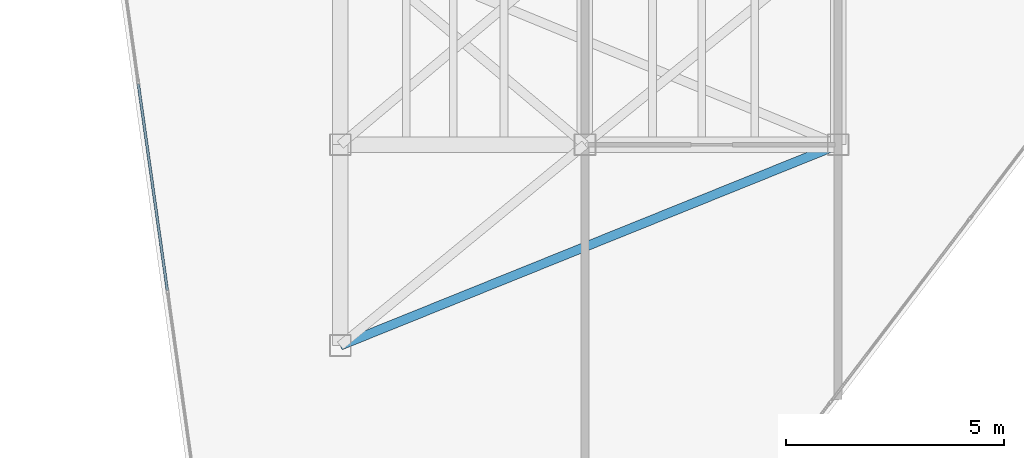
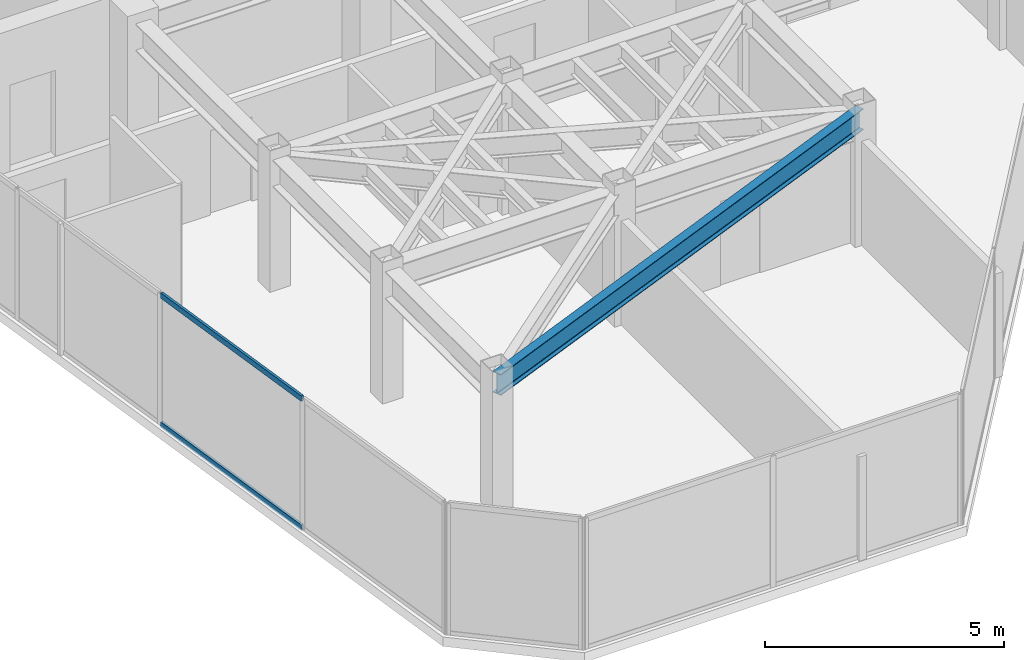
# One storey, part 4 of 20: 2 members, 1 beam, 1 element without a shape of its own.
"""IFC4 building model written with IfcOpenShell, lengths in metres."""

from ifc_helpers import new_model, si_unit, direction, frame, origin, origin_2d, place, context, subcontext, project, spatial, hollow_rectangle, i_section, extrude, material, layer, layer_set, material_profile, profile_set, type_object, element, aggregate, save


model = new_model("IFC4")

# Units and contexts
model_context = context("Model", 3, precision=1e-05, world=origin(), true_north=direction((0.0, 1.0)))
body_context = subcontext(model_context, "Body", "Model", "MODEL_VIEW")
ifc_project = project(units=[si_unit("LENGTHUNIT", "METRE"), si_unit("AREAUNIT", "SQUARE_METRE"), si_unit("VOLUMEUNIT", "CUBIC_METRE"), si_unit("PLANEANGLEUNIT", "RADIAN"), si_unit("MASSUNIT", "GRAM", prefix="KILO")], contexts=[model_context])

# Site, building, storey
site_placement = place(None, origin())
site = spatial("IfcSite", under=ifc_project, at=site_placement, CompositionType="ELEMENT")
building_placement = place(site_placement, origin())
building = spatial("IfcBuilding", under=site, at=building_placement, Name="Kravanh Interchange Tower", CompositionType="ELEMENT")
storey_placement = place(building_placement, frame((0.0, 0.0, 241.800048828125)))
storey = spatial("IfcBuildingStorey", under=building, at=storey_placement, Name="L58", CompositionType="ELEMENT", Elevation=241.800048828125)

# Curtain wall, members
ifc_material_1 = material(Name="Anodised Bronze Aluminium", Category="aluminium")
ifc_layer = layer(ifc_material_1, 0.179931640625)
ifc_layer_set = layer_set([ifc_layer], Name="Unitised Curtain Wall System CW-HTL Luxury Hotel")
curtain_wall_type = type_object("IfcCurtainWallType", Name="Unitised Curtain Wall System CW-HTL Luxury Hotel", PredefinedType="NOTDEFINED", material=ifc_layer_set)
curtain_wall_placement = place(storey_placement, origin())
curtain_wall = element("IfcCurtainWall", 1, at=curtain_wall_placement, inside=storey, type_object=curtain_wall_type, Name="L58 Unitised Curtain Wall CW-L58-01", PredefinedType="NOTDEFINED")
ifc_material_2 = material(Name="Anodised Bronze Aluminium", Category="aluminium")
ifc_material_profile_1 = material_profile(ifc_material_2, hollow_rectangle(XDim=0.06005859375, YDim=0.139892578125, WallThickness=0.00390625, at=origin_2d()), Name="ALU60X140X4")
ifc_profile_set_1 = profile_set([ifc_material_profile_1], Name="Anodised Bronze Aluminium")
member_type = type_object("IfcMemberType", Name="Curtain Wall Transom ALU60X140X4 Bronze", PredefinedType="USERDEFINED", material=ifc_profile_set_1)
member_1_placement = place(storey_placement, frame((23.240234375, 23.4609375, 0.030029296875), z_axis=(-0.139174169915, 0.990267918509, 0.0), x_axis=(-0.990267918509, -0.139174169915, 0.0)))
member_1 = element("IfcMember", 2, at=member_1_placement, type_object=member_type, Name="CW-HTL transom 2.1", ObjectType="TRANSOM", PredefinedType="USERDEFINED", context=body_context, shape_type="SweptSolid", body=[
    extrude(hollow_rectangle(XDim=0.06005859375, YDim=0.139892578125, WallThickness=0.00390625, at=origin_2d()), origin(), (0.0, 0.0, 1.0), 4.776611328125),
])
member_2_placement = place(storey_placement, frame((23.240234375, 23.4609375, 3.320068359375), z_axis=(-0.139174169915, 0.990267918509, 0.0), x_axis=(-0.990267918509, -0.139174169915, 0.0)))
member_2 = element("IfcMember", 3, at=member_2_placement, type_object=member_type, Name="CW-HTL transom 2.2", ObjectType="TRANSOM", PredefinedType="USERDEFINED", context=body_context, shape_type="SweptSolid", body=[
    extrude(hollow_rectangle(XDim=0.06005859375, YDim=0.139892578125, WallThickness=0.00390625, at=origin_2d()), origin(), (0.0, 0.0, 1.0), 4.776611328125),
])
aggregate(curtain_wall, [member_1, member_2])

# Beam
ifc_material_3 = material(Name="Structural Steel S355", Category="steel")
ifc_material_profile_2 = material_profile(ifc_material_3, i_section(OverallWidth=0.2099609375, OverallDepth=0.537109375, WebThickness=0.010986328125, FlangeThickness=0.017333984375, FilletRadius=0.02001953125, at=origin_2d()), Name="W21X68")
ifc_profile_set_2 = profile_set([ifc_material_profile_2], Name="Structural Steel S355")
beam_type = type_object("IfcBeamType", Name="Floor Spandrel W21X68 Structural Steel S355", PredefinedType="SPANDREL", material=ifc_profile_set_2)
beam_placement = place(storey_placement, frame((38.60009765625, 26.800048828125, 3.08154296875), z_axis=(-0.927349344428, -0.374196730864, 0.0), x_axis=(0.374196730864, -0.927349344428, 0.0)))
element("IfcBeam", 4, at=beam_placement, inside=storey, type_object=beam_type, Name="L58 Perimeter Spandrel 30", PredefinedType="SPANDREL", context=body_context, shape_type="SweptSolid", body=[
    extrude(i_section(OverallWidth=0.2099609375, OverallDepth=0.537109375, WebThickness=0.010986328125, FlangeThickness=0.017333984375, FilletRadius=0.02001953125, at=origin_2d()), origin(), (0.0, 0.0, 1.0), 12.293212890625),
])

save(model, "model.ifc")
